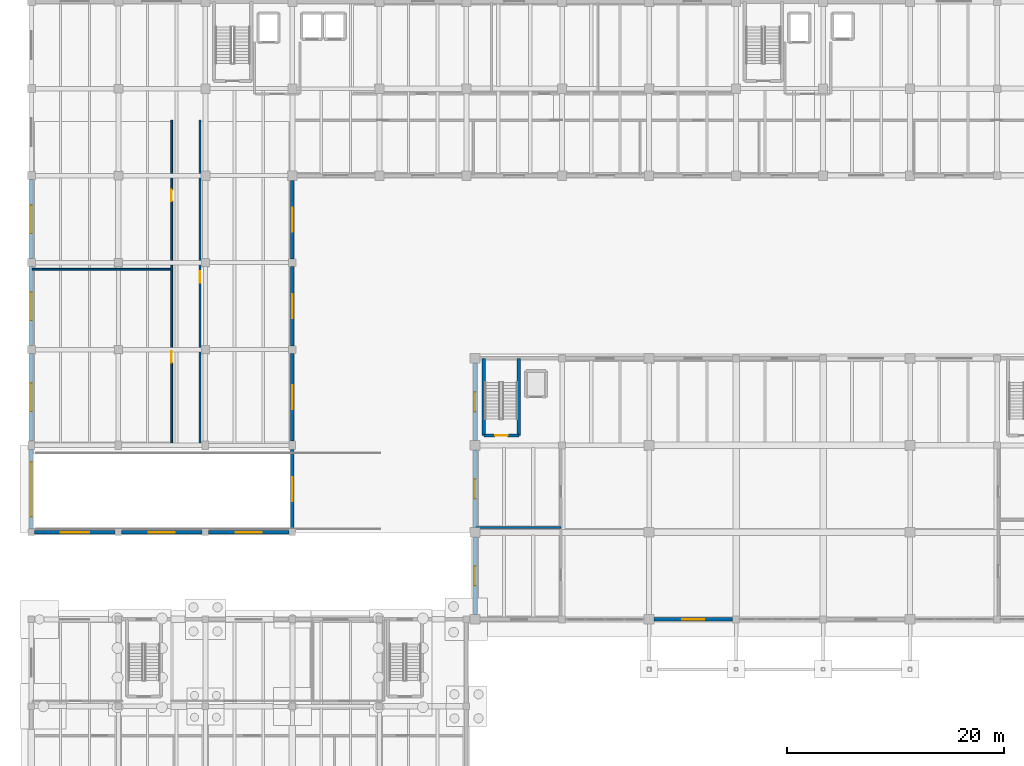
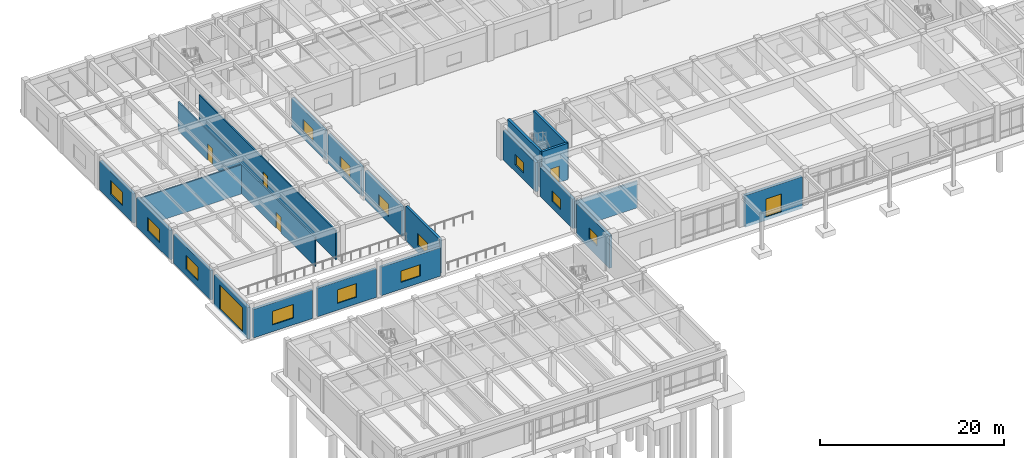
# One storey, part 34 of 64: 22 walls, 13 windows, 6 doors, 19 openings.
"""IFC4 building model written with IfcOpenShell, lengths in metres."""

from ifc_helpers import new_model, si_unit, direction, frame, frame_2d, origin, place, context, subcontext, project, spatial, rectangle, extrude, material, layer, layer_set, type_object, element, fill, save


model = new_model("IFC4")

# Units and contexts
model_context = context("Model", 3, precision=1e-05, world=origin(), true_north=direction((0.0, 1.0)))
body_context = subcontext(model_context, "Body", "Model", "MODEL_VIEW")
ifc_project = project(units=[si_unit("LENGTHUNIT", "METRE"), si_unit("AREAUNIT", "SQUARE_METRE"), si_unit("VOLUMEUNIT", "CUBIC_METRE"), si_unit("PLANEANGLEUNIT", "RADIAN"), si_unit("MASSUNIT", "GRAM", prefix="KILO")], contexts=[model_context])

# Site, building, storey
site_placement = place(None, origin())
site = spatial("IfcSite", under=ifc_project, at=site_placement, CompositionType="ELEMENT")
building_placement = place(site_placement, origin())
building = spatial("IfcBuilding", under=site, at=building_placement, Name="Tlaxcora Railside Police Headquarters", CompositionType="ELEMENT")
storey_placement = place(building_placement, origin())
storey = spatial("IfcBuildingStorey", under=building, at=storey_placement, Name="L00", CompositionType="ELEMENT", Elevation=0.0)

# Walls
ifc_material_1 = material(Name="Pressed clay brick masonry", Category="masonry")
ifc_layer_1 = layer(ifc_material_1, 0.199951171875, Name="Pressed clay brick masonry")
ifc_layer_set_1 = layer_set([ifc_layer_1], Name="Pressed clay brick masonry")
wall_type_1 = type_object("IfcWallType", Name="Interior Partition Wall IW-60", PredefinedType="PARTITIONING", material=ifc_layer_set_1)
wall_1_placement = place(storey_placement, frame((46.080078125, 44.449951171875, 0.0), z_axis=(0.0, 0.0, 1.0), x_axis=(1.0, 0.0, 0.0)))
element("IfcWall", 1, at=wall_1_placement, inside=storey, type_object=wall_type_1, Name="V1 L00 interior partition 28", PredefinedType="PARTITIONING", context=body_context, shape_type="SweptSolid", body=[
    extrude(rectangle(XDim=7.81982421875, YDim=0.199951171875, at=frame_2d((3.909912109375, 0.0))), origin(), (0.0, 0.0, 1.0), 3.56494140625),
])
ifc_material_2 = material(Name="Gypsum acoustic partition board")
ifc_layer_2 = layer(ifc_material_2, 0.159912109375, Name="Gypsum acoustic partition board")
ifc_layer_set_2 = layer_set([ifc_layer_2], Name="Gypsum acoustic partition board")
wall_type_2 = type_object("IfcWallType", Name="Interior Partition Wall IW-73", PredefinedType="PARTITIONING", material=ifc_layer_set_2)
wall_2_placement = place(storey_placement, frame((5.280029296875, 68.18505859375, 0.0), z_axis=(0.0, 0.0, 1.0), x_axis=(1.0, 0.0, 0.0)))
element("IfcWall", 2, at=wall_2_placement, inside=storey, type_object=wall_type_2, Name="V5 L00 interior partition 65", PredefinedType="PARTITIONING", context=body_context, shape_type="SweptSolid", body=[
    extrude(rectangle(XDim=12.719970703125, YDim=0.159912109375, at=frame_2d((6.35986328125, 0.0))), origin(), (0.0, 0.0, 1.0), 3.864990234375),
])

# Wall, openings, doors
wall_3_placement = place(storey_placement, frame((18.10009765625, 52.199951171875, 0.0), z_axis=(0.0, 0.0, 1.0), x_axis=(0.0, 1.0, 0.0)))
wall_3 = element("IfcWall", 3, at=wall_3_placement, inside=storey, type_object=wall_type_2, Name="V5 L00 interior partition 66", PredefinedType="PARTITIONING", context=body_context, shape_type="SweptSolid", body=[
    extrude(rectangle(XDim=29.699951171875, YDim=0.159912109375, at=frame_2d((14.85009765625, 0.0))), origin(), (0.0, 0.0, 1.0), 3.864990234375),
])
opening_1_placement = place(wall_3_placement, frame((7.39990234375, 0.0, 0.0)))
opening_1 = element("IfcOpeningElement", 4, at=opening_1_placement, cuts=wall_3, Name="Opening D-L00-115", PredefinedType="OPENING", context=body_context, shape_type="SweptSolid", body=[
    extrude(rectangle(XDim=1.050048828125, YDim=2.10009765625, at=frame_2d((0.52490234375, 1.050048828125))), frame((0.0, 0.08984375, 0.0), z_axis=(0.0, -1.0, 0.0), x_axis=(1.0, 0.0, 0.0)), (0.0, 0.0, 1.0), 0.179931640625),
])
opening_2_placement = place(wall_3_placement, frame((22.22998046875, 0.0, 0.0)))
opening_2 = element("IfcOpeningElement", 5, at=opening_2_placement, cuts=wall_3, Name="Opening D-L00-116", PredefinedType="OPENING", context=body_context, shape_type="SweptSolid", body=[
    extrude(rectangle(XDim=1.080078125, YDim=2.139892578125, at=frame_2d((0.5400390625, 1.06982421875))), frame((0.0, 0.08984375, 0.0), z_axis=(0.0, -1.0, 0.0), x_axis=(1.0, 0.0, 0.0)), (0.0, 0.0, 1.0), 0.179931640625),
])
ifc_material_3 = material(Name="Steel ASTM A992 Grade 50", Category="steel")
door_type_1 = type_object("IfcDoorType", Name="Swing or Sliding Personnel Door ID-20", OperationType="NOTDEFINED", PredefinedType="DOOR", material=ifc_material_3)
door_1_placement = place(opening_2_placement, origin())
door_1 = element("IfcDoor", 6, at=door_1_placement, inside=storey, type_object=door_type_1, Name="V5 L00 door D-L00-116", OperationType="SINGLE_SWING_LEFT", OverallHeight=2.139892578125, OverallWidth=1.080078125, PredefinedType="DOOR", context=body_context, shape_type="SweptSolid", body=[
    extrude(rectangle(XDim=1.080078125, YDim=2.139892578125, at=frame_2d((0.5400390625, 1.06982421875))), frame((0.0, 0.02490234375, 0.0), z_axis=(0.0, -1.0, 0.0), x_axis=(1.0, 0.0, 0.0)), (0.0, 0.0, 1.0), 0.050048828125),
])
fill(opening_2, door_1)
door_type_2 = type_object("IfcDoorType", Name="Swing or Sliding Personnel Door ID-52", OperationType="NOTDEFINED", PredefinedType="DOOR", material=ifc_material_3)
door_2_placement = place(opening_1_placement, origin())
door_2 = element("IfcDoor", 7, at=door_2_placement, inside=storey, type_object=door_type_2, Name="V5 L00 door D-L00-115", OperationType="SINGLE_SWING_RIGHT", OverallHeight=2.10009765625, OverallWidth=1.050048828125, PredefinedType="DOOR", context=body_context, shape_type="SweptSolid", body=[
    extrude(rectangle(XDim=1.050048828125, YDim=2.10009765625, at=frame_2d((0.52490234375, 1.050048828125))), frame((0.0, 0.02490234375, 0.0), z_axis=(0.0, -1.0, 0.0), x_axis=(1.0, 0.0, 0.0)), (0.0, 0.0, 1.0), 0.050048828125),
])
fill(opening_1, door_2)

# Wall, opening, door
wall_4_placement = place(storey_placement, frame((20.699951171875, 52.199951171875, 0.0), z_axis=(0.0, 0.0, 1.0), x_axis=(0.0, 1.0, 0.0)))
wall_4 = element("IfcWall", 8, at=wall_4_placement, inside=storey, type_object=wall_type_2, Name="V5 L00 interior partition 67", PredefinedType="PARTITIONING", context=body_context, shape_type="SweptSolid", body=[
    extrude(rectangle(XDim=29.699951171875, YDim=0.159912109375, at=frame_2d((14.85009765625, 0.0))), origin(), (0.0, 0.0, 1.0), 3.864990234375),
])
opening_3_placement = place(wall_4_placement, frame((14.75, 0.0, 0.0)))
opening_3 = element("IfcOpeningElement", 9, at=opening_3_placement, cuts=wall_4, Name="Opening D-L00-117", PredefinedType="OPENING", context=body_context, shape_type="SweptSolid", body=[
    extrude(rectangle(XDim=1.050048828125, YDim=2.10009765625, at=frame_2d((0.52490234375, 1.050048828125))), frame((0.0, 0.08984375, 0.0), z_axis=(0.0, -1.0, 0.0), x_axis=(1.0, 0.0, 0.0)), (0.0, 0.0, 1.0), 0.179931640625),
])
door_3_placement = place(opening_3_placement, origin())
door_3 = element("IfcDoor", 10, at=door_3_placement, inside=storey, type_object=door_type_2, Name="V5 L00 door D-L00-117", OperationType="SINGLE_SWING_RIGHT", OverallHeight=2.10009765625, OverallWidth=1.050048828125, PredefinedType="DOOR", context=body_context, shape_type="SweptSolid", body=[
    extrude(rectangle(XDim=1.050048828125, YDim=2.10009765625, at=frame_2d((0.52490234375, 1.050048828125))), frame((0.0, 0.02490234375, 0.0), z_axis=(0.0, -1.0, 0.0), x_axis=(1.0, 0.0, 0.0)), (0.0, 0.0, 1.0), 0.050048828125),
])
fill(opening_3, door_3)

ifc_material_4 = material(Name="Concrete C40/50", Category="concrete")
ifc_layer_3 = layer(ifc_material_4, 0.300048828125, Name="Concrete C40/50")
ifc_layer_set_3 = layer_set([ifc_layer_3], Name="Concrete C40/50")
wall_type_3 = type_object("IfcWallType", Name="Shear Core Wall IW-28", PredefinedType="SHEAR", material=ifc_layer_set_3)
wall_5_placement = place(storey_placement, frame((46.800048828125, 52.89990234375, 0.0), z_axis=(0.0, 0.0, 1.0), x_axis=(1.0, 0.0, 0.0)))
wall_5 = element("IfcWall", 11, at=wall_5_placement, inside=storey, type_object=wall_type_3, Name="CORE-C4 L00 stair core wall S", PredefinedType="SHEAR", context=body_context, shape_type="SweptSolid", body=[
    extrude(rectangle(XDim=3.219970703125, YDim=0.300048828125, at=frame_2d((1.60986328125, 0.0))), origin(), (0.0, 0.0, 1.0), 4.800048828125),
])
opening_4_placement = place(wall_5_placement, frame((1.034912109375, 0.0, 0.0)))
opening_4 = element("IfcOpeningElement", 12, at=opening_4_placement, cuts=wall_5, Name="Opening SD-L00-032", PredefinedType="OPENING", context=body_context, shape_type="SweptSolid", body=[
    extrude(rectangle(XDim=1.14990234375, YDim=2.14990234375, at=frame_2d((0.574951171875, 1.074951171875))), frame((0.0, 0.16015625, 0.0), z_axis=(0.0, -1.0, 0.0), x_axis=(1.0, 0.0, 0.0)), (0.0, 0.0, 1.0), 0.320068359375),
])
door_type_3 = type_object("IfcDoorType", Name="Swing or Sliding Personnel Door ID-73", OperationType="NOTDEFINED", PredefinedType="DOOR", material=ifc_material_3)
door_4_placement = place(opening_4_placement, origin())
door_4 = element("IfcDoor", 13, at=door_4_placement, inside=storey, type_object=door_type_3, Name="Stair ST4 L00 enclosure fire door", OperationType="SINGLE_SWING_RIGHT", OverallHeight=2.14990234375, OverallWidth=1.14990234375, PredefinedType="DOOR", context=body_context, shape_type="SweptSolid", body=[
    extrude(rectangle(XDim=1.14990234375, YDim=2.14990234375, at=frame_2d((0.574951171875, 1.074951171875))), frame((0.0, 0.02490234375, 0.0), z_axis=(0.0, -1.0, 0.0), x_axis=(1.0, 0.0, 0.0)), (0.0, 0.0, 1.0), 0.050048828125),
])
fill(opening_4, door_4)

# Walls
for number, where, z_axis, x_axis, name in (
    (14, (50.02001953125, 52.89990234375, 0.0), (0.0, 0.0, 1.0), (0.0, 1.0, 0.0), "CORE-C4 L00 stair core wall E"),
    (15, (46.800048828125, 60.0, 0.0), (0.0, 0.0, 1.0), (0.0, -1.0, 0.0), "CORE-C4 L00 stair core wall W"),
):
    element("IfcWall", number, at=place(storey_placement, frame(where, z_axis=z_axis, x_axis=x_axis)), inside=storey, type_object=wall_type_3, Name=name, PredefinedType="SHEAR", context=body_context, shape_type="SweptSolid", body=[
        extrude(rectangle(XDim=7.10009765625, YDim=0.300048828125, at=frame_2d((3.550048828125, 0.0))), origin(), (0.0, 0.0, 1.0), 4.800048828125),
    ])

# Wall, opening, window
ifc_material_5 = material(Name="Volcanic basalt ashlar masonry", Category="masonry")
ifc_layer_4 = layer(ifc_material_5, 0.31494140625, Name="Volcanic basalt ashlar masonry")
ifc_layer_set_4 = layer_set([ifc_layer_4], Name="Volcanic basalt ashlar masonry")
wall_type_4 = type_object("IfcWallType", Name="Structural Bearing Wall EW-25", PredefinedType="SOLIDWALL", material=ifc_layer_set_4)
wall_6_placement = place(storey_placement, frame((5.5, 44.0, 0.0), z_axis=(0.0, 0.0, 1.0), x_axis=(1.0, 0.0, 0.0)))
wall_6 = element("IfcWall", 16, at=wall_6_placement, inside=storey, type_object=wall_type_4, Name="V5 L00 exterior wall 0.0", PredefinedType="SOLIDWALL", context=body_context, shape_type="SweptSolid", body=[
    extrude(rectangle(XDim=7.39990234375, YDim=0.31494140625, at=frame_2d((3.699951171875, 0.0))), origin(), (0.0, 0.0, 1.0), 3.780029296875),
])
opening_5_placement = place(wall_6_placement, frame((2.39990234375, 0.0, 0.89990234375)))
opening_5 = element("IfcOpeningElement", 17, at=opening_5_placement, cuts=wall_6, Name="Opening WN-71", PredefinedType="OPENING", context=body_context, shape_type="SweptSolid", body=[
    extrude(rectangle(XDim=2.60009765625, YDim=1.800048828125, at=frame_2d((1.300048828125, 0.89990234375))), frame((0.0, 0.16748046875, 0.0), z_axis=(0.0, -1.0, 0.0), x_axis=(1.0, 0.0, 0.0)), (0.0, 0.0, 1.0), 0.3349609375),
])
ifc_material_6 = material(Name="Thermally broken low-E insulated glazing", Category="glass")
window_type_1 = type_object("IfcWindowType", Name="Exterior Framed or Circular Window WN-71", PartitioningType="SINGLE_PANEL", PredefinedType="WINDOW", material=ifc_material_6)
window_1_placement = place(opening_5_placement, origin())
window_1 = element("IfcWindow", 18, at=window_1_placement, inside=storey, type_object=window_type_1, Name="V5 L00 window 88", OverallHeight=1.800048828125, OverallWidth=2.60009765625, PartitioningType="SINGLE_PANEL", PredefinedType="WINDOW", context=body_context, shape_type="SweptSolid", body=[
    extrude(rectangle(XDim=2.60009765625, YDim=1.800048828125, at=frame_2d((1.300048828125, 0.89990234375))), frame((0.0, 0.030029296875, 0.0), z_axis=(0.0, -1.0, 0.0), x_axis=(1.0, 0.0, 0.0)), (0.0, 0.0, 1.0), 0.06005859375),
])
fill(opening_5, window_1)

wall_7_placement = place(storey_placement, frame((13.5, 44.0, 0.0), z_axis=(0.0, 0.0, 1.0), x_axis=(1.0, 0.0, 0.0)))
wall_7 = element("IfcWall", 19, at=wall_7_placement, inside=storey, type_object=wall_type_4, Name="V5 L00 exterior wall 0.1", PredefinedType="SOLIDWALL", context=body_context, shape_type="SweptSolid", body=[
    extrude(rectangle(XDim=7.39990234375, YDim=0.31494140625, at=frame_2d((3.699951171875, 0.0))), origin(), (0.0, 0.0, 1.0), 3.780029296875),
])
opening_6_placement = place(wall_7_placement, frame((2.5, 0.0, 0.89990234375)))
opening_6 = element("IfcOpeningElement", 20, at=opening_6_placement, cuts=wall_7, Name="Opening WN-76", PredefinedType="OPENING", context=body_context, shape_type="SweptSolid", body=[
    extrude(rectangle(XDim=2.39990234375, YDim=1.800048828125, at=frame_2d((1.199951171875, 0.89990234375))), frame((0.0, 0.16748046875, 0.0), z_axis=(0.0, -1.0, 0.0), x_axis=(1.0, 0.0, 0.0)), (0.0, 0.0, 1.0), 0.3349609375),
])
window_type_2 = type_object("IfcWindowType", Name="Exterior Framed or Circular Window WN-76", PartitioningType="SINGLE_PANEL", PredefinedType="WINDOW", material=ifc_material_6)
window_2_placement = place(opening_6_placement, origin())
window_2 = element("IfcWindow", 21, at=window_2_placement, inside=storey, type_object=window_type_2, Name="V5 L00 window 89", OverallHeight=1.800048828125, OverallWidth=2.39990234375, PartitioningType="SINGLE_PANEL", PredefinedType="WINDOW", context=body_context, shape_type="SweptSolid", body=[
    extrude(rectangle(XDim=2.39990234375, YDim=1.800048828125, at=frame_2d((1.199951171875, 0.89990234375))), frame((0.0, 0.030029296875, 0.0), z_axis=(0.0, -1.0, 0.0), x_axis=(1.0, 0.0, 0.0)), (0.0, 0.0, 1.0), 0.06005859375),
])
fill(opening_6, window_2)

wall_8_placement = place(storey_placement, frame((21.5, 44.0, 0.0), z_axis=(0.0, 0.0, 1.0), x_axis=(1.0, 0.0, 0.0)))
wall_8 = element("IfcWall", 22, at=wall_8_placement, inside=storey, type_object=wall_type_4, Name="V5 L00 exterior wall 0.2", PredefinedType="SOLIDWALL", context=body_context, shape_type="SweptSolid", body=[
    extrude(rectangle(XDim=7.39990234375, YDim=0.31494140625, at=frame_2d((3.699951171875, 0.0))), origin(), (0.0, 0.0, 1.0), 3.780029296875),
])
opening_7_placement = place(wall_8_placement, frame((2.5, 0.0, 0.89990234375)))
opening_7 = element("IfcOpeningElement", 23, at=opening_7_placement, cuts=wall_8, Name="Opening WN-59", PredefinedType="OPENING", context=body_context, shape_type="SweptSolid", body=[
    extrude(rectangle(XDim=2.39990234375, YDim=1.5, at=frame_2d((1.199951171875, 0.75))), frame((0.0, 0.16748046875, 0.0), z_axis=(0.0, -1.0, 0.0), x_axis=(1.0, 0.0, 0.0)), (0.0, 0.0, 1.0), 0.3349609375),
])
window_type_3 = type_object("IfcWindowType", Name="Exterior Framed or Circular Window WN-59", PartitioningType="SINGLE_PANEL", PredefinedType="WINDOW", material=ifc_material_6)
window_3_placement = place(opening_7_placement, origin())
window_3 = element("IfcWindow", 24, at=window_3_placement, inside=storey, type_object=window_type_3, Name="V5 L00 window 90", OverallHeight=1.5, OverallWidth=2.39990234375, PartitioningType="SINGLE_PANEL", PredefinedType="WINDOW", context=body_context, shape_type="SweptSolid", body=[
    extrude(rectangle(XDim=2.39990234375, YDim=1.5, at=frame_2d((1.199951171875, 0.75))), frame((0.0, 0.030029296875, 0.0), z_axis=(0.0, -1.0, 0.0), x_axis=(1.0, 0.0, 0.0)), (0.0, 0.0, 1.0), 0.06005859375),
])
fill(opening_7, window_3)

wall_9_placement = place(storey_placement, frame((29.199951171875, 44.300048828125, 0.0), z_axis=(0.0, 0.0, 1.0), x_axis=(0.0, 1.0, 0.0)))
wall_9 = element("IfcWall", 25, at=wall_9_placement, inside=storey, type_object=wall_type_4, Name="V5 L00 exterior wall 1.0", PredefinedType="SOLIDWALL", context=body_context, shape_type="SweptSolid", body=[
    extrude(rectangle(XDim=7.300048828125, YDim=0.31494140625, at=frame_2d((3.64990234375, 0.0))), origin(), (0.0, 0.0, 1.0), 4.530029296875),
])
opening_8_placement = place(wall_9_placement, frame((2.550048828125, 0.0, 0.89990234375)))
opening_8 = element("IfcOpeningElement", 26, at=opening_8_placement, cuts=wall_9, Name="Opening WN-57", PredefinedType="OPENING", context=body_context, shape_type="SweptSolid", body=[
    extrude(rectangle(XDim=2.199951171875, YDim=1.60009765625, at=frame_2d((1.10009765625, 0.800048828125))), frame((0.0, 0.16748046875, 0.0), z_axis=(0.0, -1.0, 0.0), x_axis=(1.0, 0.0, 0.0)), (0.0, 0.0, 1.0), 0.3349609375),
])
window_type_4 = type_object("IfcWindowType", Name="Exterior Framed or Circular Window WN-57", PartitioningType="SINGLE_PANEL", PredefinedType="WINDOW", material=ifc_material_6)
window_4_placement = place(opening_8_placement, origin())
window_4 = element("IfcWindow", 27, at=window_4_placement, inside=storey, type_object=window_type_4, Name="V5 L00 window 91", OverallHeight=1.60009765625, OverallWidth=2.199951171875, PartitioningType="SINGLE_PANEL", PredefinedType="WINDOW", context=body_context, shape_type="SweptSolid", body=[
    extrude(rectangle(XDim=2.199951171875, YDim=1.60009765625, at=frame_2d((1.10009765625, 0.800048828125))), frame((0.0, 0.030029296875, 0.0), z_axis=(0.0, -1.0, 0.0), x_axis=(1.0, 0.0, 0.0)), (0.0, 0.0, 1.0), 0.06005859375),
])
fill(opening_8, window_4)

wall_10_placement = place(storey_placement, frame((29.199951171875, 52.39990234375, 0.0), z_axis=(0.0, 0.0, 1.0), x_axis=(0.0, 1.0, 0.0)))
wall_10 = element("IfcWall", 28, at=wall_10_placement, inside=storey, type_object=wall_type_4, Name="V5 L00 exterior wall 1.1", PredefinedType="SOLIDWALL", context=body_context, shape_type="SweptSolid", body=[
    extrude(rectangle(XDim=8.050048828125, YDim=0.31494140625, at=frame_2d((4.02490234375, 0.0))), origin(), (0.0, 0.0, 1.0), 3.8798828125),
])
opening_9_placement = place(wall_10_placement, frame((2.925048828125, 0.0, 0.89990234375)))
opening_9 = element("IfcOpeningElement", 29, at=opening_9_placement, cuts=wall_10, Name="Opening WN-57", PredefinedType="OPENING", context=body_context, shape_type="SweptSolid", body=[
    extrude(rectangle(XDim=2.199951171875, YDim=1.60009765625, at=frame_2d((1.10009765625, 0.800048828125))), frame((0.0, 0.16748046875, 0.0), z_axis=(0.0, -1.0, 0.0), x_axis=(1.0, 0.0, 0.0)), (0.0, 0.0, 1.0), 0.3349609375),
])
window_5_placement = place(opening_9_placement, origin())
window_5 = element("IfcWindow", 30, at=window_5_placement, inside=storey, type_object=window_type_4, Name="V5 L00 window 92", OverallHeight=1.60009765625, OverallWidth=2.199951171875, PartitioningType="SINGLE_PANEL", PredefinedType="WINDOW", context=body_context, shape_type="SweptSolid", body=[
    extrude(rectangle(XDim=2.199951171875, YDim=1.60009765625, at=frame_2d((1.10009765625, 0.800048828125))), frame((0.0, 0.030029296875, 0.0), z_axis=(0.0, -1.0, 0.0), x_axis=(1.0, 0.0, 0.0)), (0.0, 0.0, 1.0), 0.06005859375),
])
fill(opening_9, window_5)

wall_11_placement = place(storey_placement, frame((29.199951171875, 61.14990234375, 0.0), z_axis=(0.0, 0.0, 1.0), x_axis=(0.0, 1.0, 0.0)))
wall_11 = element("IfcWall", 31, at=wall_11_placement, inside=storey, type_object=wall_type_4, Name="V5 L00 exterior wall 1.2", PredefinedType="SOLIDWALL", context=body_context, shape_type="SweptSolid", body=[
    extrude(rectangle(XDim=7.300048828125, YDim=0.31494140625, at=frame_2d((3.64990234375, 0.0))), origin(), (0.0, 0.0, 1.0), 3.8798828125),
])
opening_10_placement = place(wall_11_placement, frame((2.550048828125, 0.0, 0.89990234375)))
opening_10 = element("IfcOpeningElement", 32, at=opening_10_placement, cuts=wall_11, Name="Opening WN-57", PredefinedType="OPENING", context=body_context, shape_type="SweptSolid", body=[
    extrude(rectangle(XDim=2.199951171875, YDim=1.60009765625, at=frame_2d((1.10009765625, 0.800048828125))), frame((0.0, 0.16748046875, 0.0), z_axis=(0.0, -1.0, 0.0), x_axis=(1.0, 0.0, 0.0)), (0.0, 0.0, 1.0), 0.3349609375),
])
window_6_placement = place(opening_10_placement, origin())
window_6 = element("IfcWindow", 33, at=window_6_placement, inside=storey, type_object=window_type_4, Name="V5 L00 window 93", OverallHeight=1.60009765625, OverallWidth=2.199951171875, PartitioningType="SINGLE_PANEL", PredefinedType="WINDOW", context=body_context, shape_type="SweptSolid", body=[
    extrude(rectangle(XDim=2.199951171875, YDim=1.60009765625, at=frame_2d((1.10009765625, 0.800048828125))), frame((0.0, 0.030029296875, 0.0), z_axis=(0.0, -1.0, 0.0), x_axis=(1.0, 0.0, 0.0)), (0.0, 0.0, 1.0), 0.06005859375),
])
fill(opening_10, window_6)

wall_12_placement = place(storey_placement, frame((29.199951171875, 69.14990234375, 0.0), z_axis=(0.0, 0.0, 1.0), x_axis=(0.0, 1.0, 0.0)))
wall_12 = element("IfcWall", 34, at=wall_12_placement, inside=storey, type_object=wall_type_4, Name="V5 L00 exterior wall 1.3", PredefinedType="SOLIDWALL", context=body_context, shape_type="SweptSolid", body=[
    extrude(rectangle(XDim=7.22509765625, YDim=0.31494140625, at=frame_2d((3.612548828125, 0.0))), origin(), (0.0, 0.0, 1.0), 3.8798828125),
])
opening_11_placement = place(wall_12_placement, frame((2.512451171875, 0.0, 0.89990234375)))
opening_11 = element("IfcOpeningElement", 35, at=opening_11_placement, cuts=wall_12, Name="Opening WN-57", PredefinedType="OPENING", context=body_context, shape_type="SweptSolid", body=[
    extrude(rectangle(XDim=2.199951171875, YDim=1.60009765625, at=frame_2d((1.10009765625, 0.800048828125))), frame((0.0, 0.16748046875, 0.0), z_axis=(0.0, -1.0, 0.0), x_axis=(1.0, 0.0, 0.0)), (0.0, 0.0, 1.0), 0.3349609375),
])
window_7_placement = place(opening_11_placement, origin())
window_7 = element("IfcWindow", 36, at=window_7_placement, inside=storey, type_object=window_type_4, Name="V5 L00 window 94", OverallHeight=1.60009765625, OverallWidth=2.199951171875, PartitioningType="SINGLE_PANEL", PredefinedType="WINDOW", context=body_context, shape_type="SweptSolid", body=[
    extrude(rectangle(XDim=2.199951171875, YDim=1.60009765625, at=frame_2d((1.10009765625, 0.800048828125))), frame((0.0, 0.030029296875, 0.0), z_axis=(0.0, -1.0, 0.0), x_axis=(1.0, 0.0, 0.0)), (0.0, 0.0, 1.0), 0.06005859375),
])
fill(opening_11, window_7)

wall_13_placement = place(storey_placement, frame((5.199951171875, 76.425048828125, 0.0), z_axis=(0.0, 0.0, 1.0), x_axis=(0.0, -1.0, 0.0)))
wall_13 = element("IfcWall", 37, at=wall_13_placement, inside=storey, type_object=wall_type_4, Name="V5 L00 exterior wall 5.2", PredefinedType="SOLIDWALL", context=body_context, shape_type="SweptSolid", body=[
    extrude(rectangle(XDim=7.25, YDim=0.31494140625, at=frame_2d((3.625, 0.0))), origin(), (0.0, 0.0, 1.0), 3.8798828125),
])
opening_12_placement = place(wall_13_placement, frame((2.324951171875, 0.0, 0.89990234375)))
opening_12 = element("IfcOpeningElement", 38, at=opening_12_placement, cuts=wall_13, Name="Opening WN-71", PredefinedType="OPENING", context=body_context, shape_type="SweptSolid", body=[
    extrude(rectangle(XDim=2.60009765625, YDim=1.800048828125, at=frame_2d((1.300048828125, 0.89990234375))), frame((0.0, 0.16748046875, 0.0), z_axis=(0.0, -1.0, 0.0), x_axis=(1.0, 0.0, 0.0)), (0.0, 0.0, 1.0), 0.3349609375),
])
window_8_placement = place(opening_12_placement, origin())
window_8 = element("IfcWindow", 39, at=window_8_placement, inside=storey, type_object=window_type_1, Name="V5 L00 window 111", OverallHeight=1.800048828125, OverallWidth=2.60009765625, PartitioningType="SINGLE_PANEL", PredefinedType="WINDOW", context=body_context, shape_type="SweptSolid", body=[
    extrude(rectangle(XDim=2.60009765625, YDim=1.800048828125, at=frame_2d((1.300048828125, 0.89990234375))), frame((0.0, 0.030029296875, 0.0), z_axis=(0.0, -1.0, 0.0), x_axis=(1.0, 0.0, 0.0)), (0.0, 0.0, 1.0), 0.06005859375),
])
fill(opening_12, window_8)

wall_14_placement = place(storey_placement, frame((5.199951171875, 68.425048828125, 0.0), z_axis=(0.0, 0.0, 1.0), x_axis=(0.0, -1.0, 0.0)))
wall_14 = element("IfcWall", 40, at=wall_14_placement, inside=storey, type_object=wall_type_4, Name="V5 L00 exterior wall 5.3", PredefinedType="SOLIDWALL", context=body_context, shape_type="SweptSolid", body=[
    extrude(rectangle(XDim=7.25, YDim=0.31494140625, at=frame_2d((3.625, 0.0))), origin(), (0.0, 0.0, 1.0), 3.8798828125),
])
opening_13_placement = place(wall_14_placement, frame((2.324951171875, 0.0, 0.89990234375)))
opening_13 = element("IfcOpeningElement", 41, at=opening_13_placement, cuts=wall_14, Name="Opening WN-71", PredefinedType="OPENING", context=body_context, shape_type="SweptSolid", body=[
    extrude(rectangle(XDim=2.60009765625, YDim=1.800048828125, at=frame_2d((1.300048828125, 0.89990234375))), frame((0.0, 0.16748046875, 0.0), z_axis=(0.0, -1.0, 0.0), x_axis=(1.0, 0.0, 0.0)), (0.0, 0.0, 1.0), 0.3349609375),
])
window_9_placement = place(opening_13_placement, origin())
window_9 = element("IfcWindow", 42, at=window_9_placement, inside=storey, type_object=window_type_1, Name="V5 L00 window 112", OverallHeight=1.800048828125, OverallWidth=2.60009765625, PartitioningType="SINGLE_PANEL", PredefinedType="WINDOW", context=body_context, shape_type="SweptSolid", body=[
    extrude(rectangle(XDim=2.60009765625, YDim=1.800048828125, at=frame_2d((1.300048828125, 0.89990234375))), frame((0.0, 0.030029296875, 0.0), z_axis=(0.0, -1.0, 0.0), x_axis=(1.0, 0.0, 0.0)), (0.0, 0.0, 1.0), 0.06005859375),
])
fill(opening_13, window_9)

wall_15_placement = place(storey_placement, frame((5.199951171875, 60.425048828125, 0.0), z_axis=(0.0, 0.0, 1.0), x_axis=(0.0, -1.0, 0.0)))
wall_15 = element("IfcWall", 43, at=wall_15_placement, inside=storey, type_object=wall_type_4, Name="V5 L00 exterior wall 5.4", PredefinedType="SOLIDWALL", context=body_context, shape_type="SweptSolid", body=[
    extrude(rectangle(XDim=8.025146484375, YDim=0.31494140625, at=frame_2d((4.0126953125, 0.0))), origin(), (0.0, 0.0, 1.0), 3.8798828125),
])
opening_14_placement = place(wall_15_placement, frame((2.71240234375, 0.0, 0.89990234375)))
opening_14 = element("IfcOpeningElement", 44, at=opening_14_placement, cuts=wall_15, Name="Opening WN-71", PredefinedType="OPENING", context=body_context, shape_type="SweptSolid", body=[
    extrude(rectangle(XDim=2.60009765625, YDim=1.800048828125, at=frame_2d((1.300048828125, 0.89990234375))), frame((0.0, 0.16748046875, 0.0), z_axis=(0.0, -1.0, 0.0), x_axis=(1.0, 0.0, 0.0)), (0.0, 0.0, 1.0), 0.3349609375),
])
window_10_placement = place(opening_14_placement, origin())
window_10 = element("IfcWindow", 45, at=window_10_placement, inside=storey, type_object=window_type_1, Name="V5 L00 window 113", OverallHeight=1.800048828125, OverallWidth=2.60009765625, PartitioningType="SINGLE_PANEL", PredefinedType="WINDOW", context=body_context, shape_type="SweptSolid", body=[
    extrude(rectangle(XDim=2.60009765625, YDim=1.800048828125, at=frame_2d((1.300048828125, 0.89990234375))), frame((0.0, 0.030029296875, 0.0), z_axis=(0.0, -1.0, 0.0), x_axis=(1.0, 0.0, 0.0)), (0.0, 0.0, 1.0), 0.06005859375),
])
fill(opening_14, window_10)

# Wall, opening, door
wall_16_placement = place(storey_placement, frame((5.199951171875, 51.60009765625, -0.280029296875), z_axis=(0.0, 0.0, 1.0), x_axis=(0.0, -1.0, 0.0)))
wall_16 = element("IfcWall", 46, at=wall_16_placement, inside=storey, type_object=wall_type_4, Name="V5 L00 exterior wall 5.5", PredefinedType="SOLIDWALL", context=body_context, shape_type="SweptSolid", body=[
    extrude(rectangle(XDim=7.300048828125, YDim=0.31494140625, at=frame_2d((3.64990234375, 0.0))), origin(), (0.0, 0.0, 1.0), 4.159912109375),
])
opening_15_placement = place(wall_16_placement, frame((1.14990234375, 0.0, 0.280029296875)))
opening_15 = element("IfcOpeningElement", 47, at=opening_15_placement, cuts=wall_16, Name="Opening VG-01", PredefinedType="OPENING", context=body_context, shape_type="SweptSolid", body=[
    extrude(rectangle(XDim=5.0, YDim=3.199951171875, at=frame_2d((2.5, 1.60009765625))), frame((0.0, 0.16748046875, 0.0), z_axis=(0.0, -1.0, 0.0), x_axis=(1.0, 0.0, 0.0)), (0.0, 0.0, 1.0), 0.3349609375),
])
door_type_4 = type_object("IfcDoorType", Name="Vehicle Security Shutter Gate ED-77", OperationType="NOTDEFINED", PredefinedType="GATE", material=ifc_material_3)
door_5_placement = place(opening_15_placement, frame((5.0, 0.0, 0.0), z_axis=(0.0, 0.0, 1.0), x_axis=(-1.0, 0.0, 0.0)))
door_5 = element("IfcDoor", 48, at=door_5_placement, inside=storey, type_object=door_type_4, Name="Car park ramp security shutter gate VG-01", OperationType="ROLLINGUP", OverallHeight=3.199951171875, OverallWidth=5.0, PredefinedType="GATE", context=body_context, shape_type="SweptSolid", body=[
    extrude(rectangle(XDim=5.0, YDim=3.199951171875, at=frame_2d((2.5, 1.60009765625))), frame((0.0, 0.02490234375, 0.0), z_axis=(0.0, -1.0, 0.0), x_axis=(1.0, 0.0, 0.0)), (0.0, 0.0, 1.0), 0.050048828125),
])
fill(opening_15, door_5)

ifc_layer_5 = layer(ifc_material_5, 0.3349609375, Name="Volcanic basalt ashlar masonry")
ifc_layer_set_5 = layer_set([ifc_layer_5], Name="Volcanic basalt ashlar masonry")
wall_type_5 = type_object("IfcWallType", Name="Structural Bearing Wall EW-46", PredefinedType="SOLIDWALL", material=ifc_layer_set_5)
wall_17_placement = place(storey_placement, frame((62.449951171875, 36.0, -0.419921875), z_axis=(0.0, 0.0, 1.0), x_axis=(1.0, 0.0, 0.0)))
wall_17 = element("IfcWall", 49, at=wall_17_placement, inside=storey, type_object=wall_type_5, Name="V1 L00 exterior wall 0.2", PredefinedType="SOLIDWALL", context=body_context, shape_type="SweptSolid", body=[
    extrude(rectangle(XDim=7.22509765625, YDim=0.3349609375, at=frame_2d((3.612548828125, 0.0))), origin(), (0.0, 0.0, 1.0), 4.199951171875),
])
opening_16_placement = place(wall_17_placement, frame((2.612548828125, 0.0, 0.419921875)))
opening_16 = element("IfcOpeningElement", 50, at=opening_16_placement, cuts=wall_17, Name="Opening E-01", PredefinedType="OPENING", context=body_context, shape_type="SweptSolid", body=[
    extrude(rectangle(XDim=2.0, YDim=2.39990234375, at=frame_2d((1.0, 1.199951171875))), frame((0.0, 0.177490234375, 0.0), z_axis=(0.0, -1.0, 0.0), x_axis=(1.0, 0.0, 0.0)), (0.0, 0.0, 1.0), 0.35498046875),
])
ifc_material_7 = material(Name="Anodised aluminium framing", Category="aluminium")
door_type_5 = type_object("IfcDoorType", Name="Swing or Sliding Personnel Door ED-20", OperationType="NOTDEFINED", PredefinedType="DOOR", material=ifc_material_7)
door_6_placement = place(opening_16_placement, frame((2.0, 0.0, 0.0), z_axis=(0.0, 0.0, 1.0), x_axis=(-1.0, 0.0, 0.0)))
door_6 = element("IfcDoor", 51, at=door_6_placement, inside=storey, type_object=door_type_5, Name="Main civic entrance door E-01", OperationType="DOUBLE_DOOR_SINGLE_SWING", OverallHeight=2.39990234375, OverallWidth=2.0, PredefinedType="DOOR", context=body_context, shape_type="SweptSolid", body=[
    extrude(rectangle(XDim=2.0, YDim=2.39990234375, at=frame_2d((1.0, 1.199951171875))), frame((0.0, 0.02490234375, 0.0), z_axis=(0.0, -1.0, 0.0), x_axis=(1.0, 0.0, 0.0)), (0.0, 0.0, 1.0), 0.050048828125),
])
fill(opening_16, door_6)

# Wall, opening, window
wall_18_placement = place(storey_placement, frame((46.0, 59.550048828125, 0.0), z_axis=(0.0, 0.0, 1.0), x_axis=(0.0, -1.0, 0.0)))
wall_18 = element("IfcWall", 52, at=wall_18_placement, inside=storey, type_object=wall_type_5, Name="V1 L00 exterior wall 3.0", PredefinedType="SOLIDWALL", context=body_context, shape_type="SweptSolid", body=[
    extrude(rectangle(XDim=7.10009765625, YDim=0.3349609375, at=frame_2d((3.550048828125, 0.0))), origin(), (0.0, 0.0, 1.0), 3.8798828125),
])
opening_17_placement = place(wall_18_placement, frame((2.64990234375, 0.0, 0.89990234375)))
opening_17 = element("IfcOpeningElement", 53, at=opening_17_placement, cuts=wall_18, Name="Opening WN-70", PredefinedType="OPENING", context=body_context, shape_type="SweptSolid", body=[
    extrude(rectangle(XDim=1.800048828125, YDim=1.39990234375, at=frame_2d((0.89990234375, 0.699951171875))), frame((0.0, 0.177490234375, 0.0), z_axis=(0.0, -1.0, 0.0), x_axis=(1.0, 0.0, 0.0)), (0.0, 0.0, 1.0), 0.35498046875),
])
window_type_5 = type_object("IfcWindowType", Name="Exterior Framed or Circular Window WN-70", PartitioningType="SINGLE_PANEL", PredefinedType="WINDOW", material=ifc_material_6)
window_11_placement = place(opening_17_placement, origin())
window_11 = element("IfcWindow", 54, at=window_11_placement, inside=storey, type_object=window_type_5, Name="V1 L00 window 23", OverallHeight=1.39990234375, OverallWidth=1.800048828125, PartitioningType="SINGLE_PANEL", PredefinedType="WINDOW", context=body_context, shape_type="SweptSolid", body=[
    extrude(rectangle(XDim=1.800048828125, YDim=1.39990234375, at=frame_2d((0.89990234375, 0.699951171875))), frame((0.0, 0.030029296875, 0.0), z_axis=(0.0, -1.0, 0.0), x_axis=(1.0, 0.0, 0.0)), (0.0, 0.0, 1.0), 0.06005859375),
])
fill(opening_17, window_11)

wall_19_placement = place(storey_placement, frame((46.0, 51.550048828125, 0.0), z_axis=(0.0, 0.0, 1.0), x_axis=(0.0, -1.0, 0.0)))
wall_19 = element("IfcWall", 55, at=wall_19_placement, inside=storey, type_object=wall_type_5, Name="V1 L00 exterior wall 3.1", PredefinedType="SOLIDWALL", context=body_context, shape_type="SweptSolid", body=[
    extrude(rectangle(XDim=7.10009765625, YDim=0.3349609375, at=frame_2d((3.550048828125, 0.0))), origin(), (0.0, 0.0, 1.0), 3.8798828125),
])
opening_18_placement = place(wall_19_placement, frame((2.64990234375, 0.0, 0.89990234375)))
opening_18 = element("IfcOpeningElement", 56, at=opening_18_placement, cuts=wall_19, Name="Opening WN-70", PredefinedType="OPENING", context=body_context, shape_type="SweptSolid", body=[
    extrude(rectangle(XDim=1.800048828125, YDim=1.39990234375, at=frame_2d((0.89990234375, 0.699951171875))), frame((0.0, 0.177490234375, 0.0), z_axis=(0.0, -1.0, 0.0), x_axis=(1.0, 0.0, 0.0)), (0.0, 0.0, 1.0), 0.35498046875),
])
window_12_placement = place(opening_18_placement, origin())
window_12 = element("IfcWindow", 57, at=window_12_placement, inside=storey, type_object=window_type_5, Name="V1 L00 window 24", OverallHeight=1.39990234375, OverallWidth=1.800048828125, PartitioningType="SINGLE_PANEL", PredefinedType="WINDOW", context=body_context, shape_type="SweptSolid", body=[
    extrude(rectangle(XDim=1.800048828125, YDim=1.39990234375, at=frame_2d((0.89990234375, 0.699951171875))), frame((0.0, 0.030029296875, 0.0), z_axis=(0.0, -1.0, 0.0), x_axis=(1.0, 0.0, 0.0)), (0.0, 0.0, 1.0), 0.06005859375),
])
fill(opening_18, window_12)

wall_20_placement = place(storey_placement, frame((46.0, 43.550048828125, -0.419921875), z_axis=(0.0, 0.0, 1.0), x_axis=(0.0, -1.0, 0.0)))
wall_20 = element("IfcWall", 58, at=wall_20_placement, inside=storey, type_object=wall_type_5, Name="V1 L00 exterior wall 3.2", PredefinedType="SOLIDWALL", context=body_context, shape_type="SweptSolid", body=[
    extrude(rectangle(XDim=7.10009765625, YDim=0.3349609375, at=frame_2d((3.550048828125, 0.0))), origin(), (0.0, 0.0, 1.0), 4.2998046875),
])
opening_19_placement = place(wall_20_placement, frame((2.64990234375, 0.0, 1.320068359375)))
opening_19 = element("IfcOpeningElement", 59, at=opening_19_placement, cuts=wall_20, Name="Opening WN-70", PredefinedType="OPENING", context=body_context, shape_type="SweptSolid", body=[
    extrude(rectangle(XDim=1.800048828125, YDim=1.39990234375, at=frame_2d((0.89990234375, 0.699951171875))), frame((0.0, 0.177490234375, 0.0), z_axis=(0.0, -1.0, 0.0), x_axis=(1.0, 0.0, 0.0)), (0.0, 0.0, 1.0), 0.35498046875),
])
window_13_placement = place(opening_19_placement, origin())
window_13 = element("IfcWindow", 60, at=window_13_placement, inside=storey, type_object=window_type_5, Name="V1 L00 window 25", OverallHeight=1.39990234375, OverallWidth=1.800048828125, PartitioningType="SINGLE_PANEL", PredefinedType="WINDOW", context=body_context, shape_type="SweptSolid", body=[
    extrude(rectangle(XDim=1.800048828125, YDim=1.39990234375, at=frame_2d((0.89990234375, 0.699951171875))), frame((0.0, 0.030029296875, 0.0), z_axis=(0.0, -1.0, 0.0), x_axis=(1.0, 0.0, 0.0)), (0.0, 0.0, 1.0), 0.06005859375),
])
fill(opening_19, window_13)

save(model, "model.ifc")
